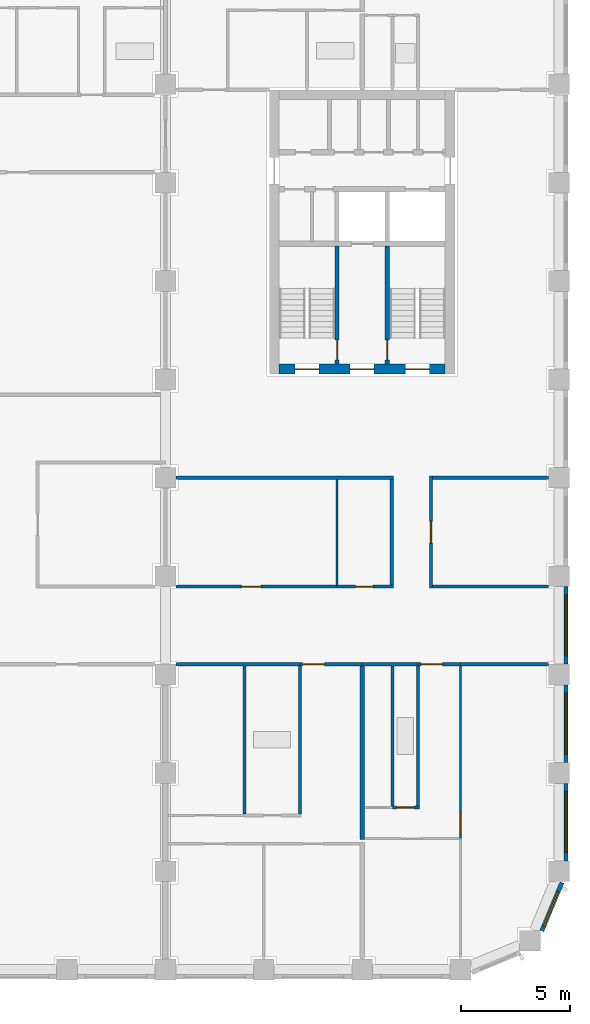
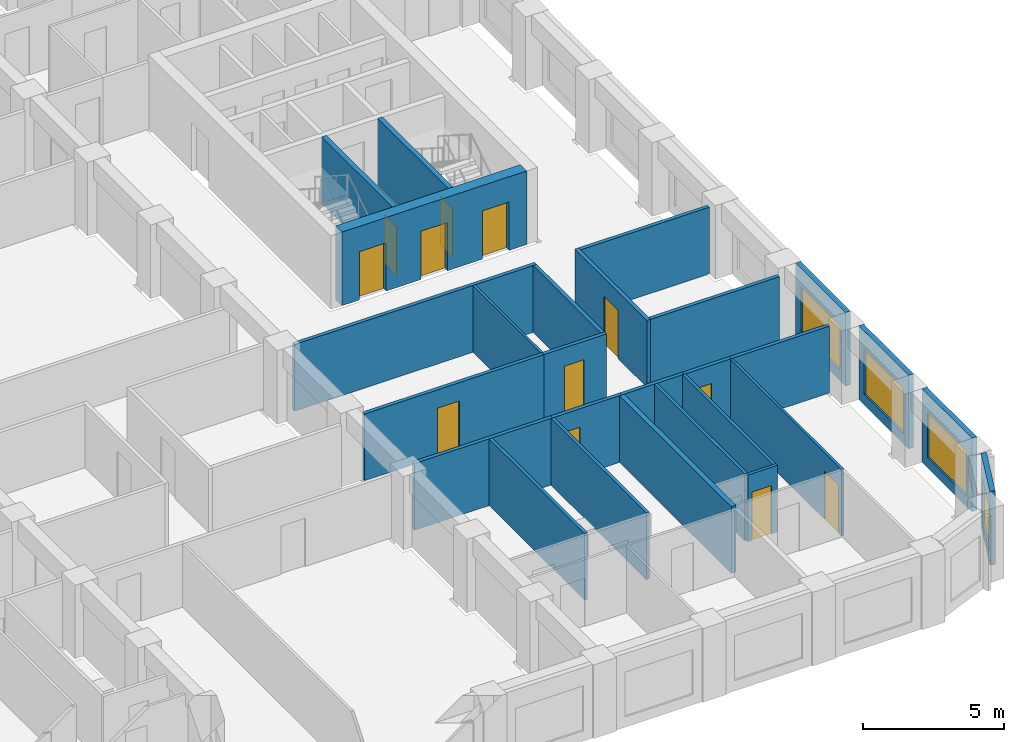
# One storey, part 5 of 13: 27 walls, 12 doors, 4 windows, 16 openings.
"""IFC4 building model written with IfcOpenShell, lengths in metres."""

from ifc_helpers import new_model, si_unit, direction, frame, frame_2d, origin, place, context, subcontext, project, spatial, rectangle, extrude, material, layer, layer_set, type_object, element, fill, save


model = new_model("IFC4")

# Units and contexts
model_context = context("Model", 3, precision=1e-05, world=origin(), true_north=direction((0.0, 1.0)))
body_context = subcontext(model_context, "Body", "Model", "MODEL_VIEW")
ifc_project = project(units=[si_unit("LENGTHUNIT", "METRE"), si_unit("AREAUNIT", "SQUARE_METRE"), si_unit("VOLUMEUNIT", "CUBIC_METRE"), si_unit("PLANEANGLEUNIT", "RADIAN"), si_unit("MASSUNIT", "GRAM", prefix="KILO")], contexts=[model_context])

# Site, building, storey
site_placement = place(None, origin())
site = spatial("IfcSite", under=ifc_project, at=site_placement, CompositionType="ELEMENT")
building_placement = place(site_placement, origin())
building = spatial("IfcBuilding", under=site, at=building_placement, Name="Girih Gate Residences", CompositionType="ELEMENT")
storey_placement = place(building_placement, frame((0.0, 0.0, 130.199951171875)))
storey = spatial("IfcBuildingStorey", under=building, at=storey_placement, Name="L36", CompositionType="ELEMENT", Elevation=130.199951171875)

# Wall, opening, door
ifc_material_1 = material(Name="Gypsum board on steel studs", Category="steel")
ifc_layer_1 = layer(ifc_material_1, 0.14990234375)
ifc_layer_set_1 = layer_set([ifc_layer_1], Name="Compartment wall 150 mm")
wall_type_1 = type_object("IfcWallType", Name="Compartment wall 150 mm", PredefinedType="PARTITIONING", material=ifc_layer_set_1)
wall_1_placement = place(storey_placement, frame((45.0, 13.97509765625, 0.0), z_axis=(0.0, 0.0, 1.0), x_axis=(-1.0, 0.0, 0.0)))
wall_1 = element("IfcWall", 1, at=wall_1_placement, inside=storey, type_object=wall_type_1, Name="L36 partition", PredefinedType="PARTITIONING", context=body_context, shape_type="SweptSolid", body=[
    extrude(rectangle(XDim=1.949951171875, YDim=0.14990234375, at=frame_2d((0.97509765625, 0.0))), origin(), (0.0, 0.0, 1.0), 2.900146484375),
])
opening_1_placement = place(wall_1_placement, frame((0.820068359375, 0.0, 0.0)))
opening_1 = element("IfcOpeningElement", 2, at=opening_1_placement, cuts=wall_1, Name="Opening A36-021", PredefinedType="OPENING", context=body_context, shape_type="SweptSolid", body=[
    extrude(rectangle(XDim=1.0, YDim=2.10009765625, at=frame_2d((0.5, 1.050048828125))), frame((0.0, 0.0849609375, 0.0), z_axis=(0.0, -1.0, 0.0), x_axis=(1.0, 0.0, 0.0)), (0.0, 0.0, 1.0), 0.169921875),
])
ifc_material_2 = material(Name="Timber, fire-rated core", Category="wood")
door_type_1 = type_object("IfcDoorType", Name="Flat entrance door 1000x2100 FD30S", OperationType="NOTDEFINED", PredefinedType="DOOR", material=ifc_material_2)
door_1_placement = place(opening_1_placement, origin())
door_1 = element("IfcDoor", 3, at=door_1_placement, inside=storey, type_object=door_type_1, Name="Door A36-021", OperationType="SINGLE_SWING_RIGHT", OverallHeight=2.10009765625, OverallWidth=1.0, PredefinedType="DOOR", context=body_context, shape_type="SweptSolid", body=[
    extrude(rectangle(XDim=1.0, YDim=2.10009765625, at=frame_2d((0.5, 1.050048828125))), frame((0.0, 0.02490234375, 0.0), z_axis=(0.0, -1.0, 0.0), x_axis=(1.0, 0.0, 0.0)), (0.0, 0.0, 1.0), 0.050048828125),
])
fill(opening_1, door_1)

# Walls
wall_2_placement = place(storey_placement, frame((40.5, 13.97509765625, 0.0), z_axis=(0.0, 0.0, 1.0), x_axis=(1.0, 0.0, 0.0)))
element("IfcWall", 4, at=wall_2_placement, inside=storey, type_object=wall_type_1, Name="L36 partition", PredefinedType="PARTITIONING", context=body_context, shape_type="SweptSolid", body=[
    extrude(rectangle(XDim=2.550048828125, YDim=0.14990234375, at=frame_2d((1.27490234375, 0.0))), origin(), (0.0, 0.0, 1.0), 2.900146484375),
])
wall_3_placement = place(storey_placement, frame((45.0, 13.97509765625, 0.0), z_axis=(0.0, 0.0, 1.0), x_axis=(1.0, 0.0, 0.0)))
element("IfcWall", 5, at=wall_3_placement, inside=storey, type_object=wall_type_1, Name="L36 partition", PredefinedType="PARTITIONING", context=body_context, shape_type="SweptSolid", body=[
    extrude(rectangle(XDim=4.02490234375, YDim=0.14990234375, at=frame_2d((2.012451171875, 0.0))), origin(), (0.0, 0.0, 1.0), 2.900146484375),
])

# Wall, opening, door
wall_4_placement = place(storey_placement, frame((40.5, 13.97509765625, 0.0), z_axis=(0.0, 0.0, 1.0), x_axis=(-1.0, 0.0, 0.0)))
wall_4 = element("IfcWall", 6, at=wall_4_placement, inside=storey, type_object=wall_type_1, Name="L36 partition", PredefinedType="PARTITIONING", context=body_context, shape_type="SweptSolid", body=[
    extrude(rectangle(XDim=2.85009765625, YDim=0.14990234375, at=frame_2d((1.425048828125, 0.0))), origin(), (0.0, 0.0, 1.0), 2.900146484375),
])
opening_2_placement = place(wall_4_placement, frame((1.719970703125, 0.0, 0.0)))
opening_2 = element("IfcOpeningElement", 7, at=opening_2_placement, cuts=wall_4, Name="Opening A36-026", PredefinedType="OPENING", context=body_context, shape_type="SweptSolid", body=[
    extrude(rectangle(XDim=1.0, YDim=2.10009765625, at=frame_2d((0.5, 1.050048828125))), frame((0.0, 0.0849609375, 0.0), z_axis=(0.0, -1.0, 0.0), x_axis=(1.0, 0.0, 0.0)), (0.0, 0.0, 1.0), 0.169921875),
])
door_2_placement = place(opening_2_placement, origin())
door_2 = element("IfcDoor", 8, at=door_2_placement, inside=storey, type_object=door_type_1, Name="Door A36-026", OperationType="SINGLE_SWING_RIGHT", OverallHeight=2.10009765625, OverallWidth=1.0, PredefinedType="DOOR", context=body_context, shape_type="SweptSolid", body=[
    extrude(rectangle(XDim=1.0, YDim=2.10009765625, at=frame_2d((0.5, 1.050048828125))), frame((0.0, 0.02490234375, 0.0), z_axis=(0.0, -1.0, 0.0), x_axis=(1.0, 0.0, 0.0)), (0.0, 0.0, 1.0), 0.050048828125),
])
fill(opening_2, door_2)

# Wall
wall_5_placement = place(storey_placement, frame((31.97509765625, 13.97509765625, 0.0), z_axis=(0.0, 0.0, 1.0), x_axis=(1.0, 0.0, 0.0)))
element("IfcWall", 9, at=wall_5_placement, inside=storey, type_object=wall_type_1, Name="L36 partition", PredefinedType="PARTITIONING", context=body_context, shape_type="SweptSolid", body=[
    extrude(rectangle(XDim=5.6748046875, YDim=0.14990234375, at=frame_2d((2.83740234375, 0.0))), origin(), (0.0, 0.0, 1.0), 2.900146484375),
])

# Wall, opening, door
wall_6_placement = place(storey_placement, frame((31.97509765625, 17.52490234375, 0.0), z_axis=(0.0, 0.0, 1.0), x_axis=(1.0, 0.0, 0.0)))
wall_6 = element("IfcWall", 10, at=wall_6_placement, inside=storey, type_object=wall_type_1, Name="L36 partition", PredefinedType="PARTITIONING", context=body_context, shape_type="SweptSolid", body=[
    extrude(rectangle(XDim=7.375, YDim=0.14990234375, at=frame_2d((3.6875, 0.0))), origin(), (0.0, 0.0, 1.0), 2.900146484375),
])
opening_3_placement = place(wall_6_placement, frame((3.0, 0.0, 0.0)))
opening_3 = element("IfcOpeningElement", 11, at=opening_3_placement, cuts=wall_6, Name="Opening A36-053", PredefinedType="OPENING", context=body_context, shape_type="SweptSolid", body=[
    extrude(rectangle(XDim=0.89990234375, YDim=2.10009765625, at=frame_2d((0.449951171875, 1.050048828125))), frame((0.0, 0.0849609375, 0.0), z_axis=(0.0, -1.0, 0.0), x_axis=(1.0, 0.0, 0.0)), (0.0, 0.0, 1.0), 0.169921875),
])
ifc_material_3 = material(Name="Timber", Category="wood")
door_type_2 = type_object("IfcDoorType", Name="Service room door 900x2100", OperationType="NOTDEFINED", PredefinedType="DOOR", material=ifc_material_3)
door_3_placement = place(opening_3_placement, origin())
door_3 = element("IfcDoor", 12, at=door_3_placement, inside=storey, type_object=door_type_2, Name="Door A36-053", OperationType="SINGLE_SWING_LEFT", OverallHeight=2.10009765625, OverallWidth=0.89990234375, PredefinedType="DOOR", context=body_context, shape_type="SweptSolid", body=[
    extrude(rectangle(XDim=0.89990234375, YDim=2.10009765625, at=frame_2d((0.449951171875, 1.050048828125))), frame((0.0, 0.02490234375, 0.0), z_axis=(0.0, -1.0, 0.0), x_axis=(1.0, 0.0, 0.0)), (0.0, 0.0, 1.0), 0.050048828125),
])
fill(opening_3, door_3)

wall_7_placement = place(storey_placement, frame((39.35009765625, 17.52490234375, 0.0), z_axis=(0.0, 0.0, 1.0), x_axis=(1.0, 0.0, 0.0)))
wall_7 = element("IfcWall", 13, at=wall_7_placement, inside=storey, type_object=wall_type_1, Name="L36 partition", PredefinedType="PARTITIONING", context=body_context, shape_type="SweptSolid", body=[
    extrude(rectangle(XDim=2.574951171875, YDim=0.14990234375, at=frame_2d((1.28759765625, 0.0))), origin(), (0.0, 0.0, 1.0), 2.900146484375),
])
opening_4_placement = place(wall_7_placement, frame((0.85009765625, 0.0, 0.0)))
opening_4 = element("IfcOpeningElement", 14, at=opening_4_placement, cuts=wall_7, Name="Opening A36-055", PredefinedType="OPENING", context=body_context, shape_type="SweptSolid", body=[
    extrude(rectangle(XDim=0.800048828125, YDim=2.10009765625, at=frame_2d((0.39990234375, 1.050048828125))), frame((0.0, 0.0849609375, 0.0), z_axis=(0.0, -1.0, 0.0), x_axis=(1.0, 0.0, 0.0)), (0.0, 0.0, 1.0), 0.169921875),
])
door_type_3 = type_object("IfcDoorType", Name="Bathroom door 800x2100", OperationType="NOTDEFINED", PredefinedType="DOOR", material=ifc_material_3)
door_4_placement = place(opening_4_placement, origin())
door_4 = element("IfcDoor", 15, at=door_4_placement, inside=storey, type_object=door_type_3, Name="Door A36-055", OperationType="SINGLE_SWING_LEFT", OverallHeight=2.10009765625, OverallWidth=0.800048828125, PredefinedType="DOOR", context=body_context, shape_type="SweptSolid", body=[
    extrude(rectangle(XDim=0.800048828125, YDim=2.10009765625, at=frame_2d((0.39990234375, 1.050048828125))), frame((0.0, 0.02490234375, 0.0), z_axis=(0.0, -1.0, 0.0), x_axis=(1.0, 0.0, 0.0)), (0.0, 0.0, 1.0), 0.050048828125),
])
fill(opening_4, door_4)

# Walls
wall_8_placement = place(storey_placement, frame((43.72509765625, 17.52490234375, 0.0), z_axis=(0.0, 0.0, 1.0), x_axis=(1.0, 0.0, 0.0)))
element("IfcWall", 16, at=wall_8_placement, inside=storey, type_object=wall_type_1, Name="L36 partition", PredefinedType="PARTITIONING", context=body_context, shape_type="SweptSolid", body=[
    extrude(rectangle(XDim=5.2998046875, YDim=0.14990234375, at=frame_2d((2.64990234375, 0.0))), origin(), (0.0, 0.0, 1.0), 2.900146484375),
])
wall_9_placement = place(storey_placement, frame((31.97509765625, 22.5, 0.0), z_axis=(0.0, 0.0, 1.0), x_axis=(1.0, 0.0, 0.0)))
element("IfcWall", 17, at=wall_9_placement, inside=storey, type_object=wall_type_1, Name="L36 partition", PredefinedType="PARTITIONING", context=body_context, shape_type="SweptSolid", body=[
    extrude(rectangle(XDim=9.949951171875, YDim=0.14990234375, at=frame_2d((4.97509765625, 0.0))), origin(), (0.0, 0.0, 1.0), 2.900146484375),
])
wall_10_placement = place(storey_placement, frame((43.72509765625, 22.5, 0.0), z_axis=(0.0, 0.0, 1.0), x_axis=(1.0, 0.0, 0.0)))
element("IfcWall", 18, at=wall_10_placement, inside=storey, type_object=wall_type_1, Name="L36 partition", PredefinedType="PARTITIONING", context=body_context, shape_type="SweptSolid", body=[
    extrude(rectangle(XDim=5.2998046875, YDim=0.14990234375, at=frame_2d((2.64990234375, 0.0))), origin(), (0.0, 0.0, 1.0), 2.900146484375),
])
wall_11_placement = place(storey_placement, frame((41.85009765625, 17.60009765625, 0.0), z_axis=(0.0, 0.0, 1.0), x_axis=(0.0, 1.0, 0.0)))
element("IfcWall", 19, at=wall_11_placement, inside=storey, type_object=wall_type_1, Name="L36 partition", PredefinedType="PARTITIONING", context=body_context, shape_type="SweptSolid", body=[
    extrude(rectangle(XDim=4.824951171875, YDim=0.14990234375, at=frame_2d((2.41259765625, 0.0))), origin(), (0.0, 0.0, 1.0), 2.900146484375),
])

# Wall, opening, door
wall_12_placement = place(storey_placement, frame((43.64990234375, 22.574951171875, 0.0), z_axis=(0.0, 0.0, 1.0), x_axis=(0.0, -1.0, 0.0)))
wall_12 = element("IfcWall", 20, at=wall_12_placement, inside=storey, type_object=wall_type_1, Name="L36 partition", PredefinedType="PARTITIONING", context=body_context, shape_type="SweptSolid", body=[
    extrude(rectangle(XDim=5.125, YDim=0.14990234375, at=frame_2d((2.5625, 0.0))), origin(), (0.0, 0.0, 1.0), 2.900146484375),
])
opening_5_placement = place(wall_12_placement, frame((2.0625, 0.0, 0.0)))
opening_5 = element("IfcOpeningElement", 21, at=opening_5_placement, cuts=wall_12, Name="Opening A36-057", PredefinedType="OPENING", context=body_context, shape_type="SweptSolid", body=[
    extrude(rectangle(XDim=1.0, YDim=2.10009765625, at=frame_2d((0.5, 1.050048828125))), frame((0.0, 0.0849609375, 0.0), z_axis=(0.0, -1.0, 0.0), x_axis=(1.0, 0.0, 0.0)), (0.0, 0.0, 1.0), 0.169921875),
])
door_type_4 = type_object("IfcDoorType", Name="Amenity room door 1000x2100 FD30S", OperationType="NOTDEFINED", PredefinedType="DOOR", material=ifc_material_2)
door_5_placement = place(opening_5_placement, origin())
door_5 = element("IfcDoor", 22, at=door_5_placement, inside=storey, type_object=door_type_4, Name="Door A36-057", OperationType="SINGLE_SWING_RIGHT", OverallHeight=2.10009765625, OverallWidth=1.0, PredefinedType="DOOR", context=body_context, shape_type="SweptSolid", body=[
    extrude(rectangle(XDim=1.0, YDim=2.10009765625, at=frame_2d((0.5, 1.050048828125))), frame((0.0, 0.02490234375, 0.0), z_axis=(0.0, -1.0, 0.0), x_axis=(1.0, 0.0, 0.0)), (0.0, 0.0, 1.0), 0.050048828125),
])
fill(opening_5, door_5)

# Wall, openings, doors
ifc_material_4 = material(Name="Concrete C60/75", Category="concrete")
ifc_layer_2 = layer(ifc_material_4, 0.449951171875)
ifc_layer_set_2 = layer_set([ifc_layer_2], Name="Core wall RC 450 Concrete C60/75")
wall_type_2 = type_object("IfcWallType", Name="Core wall RC 450 Concrete C60/75", PredefinedType="SOLIDWALL", material=ifc_layer_set_2)
wall_13_placement = place(storey_placement, frame((36.699951171875, 27.47509765625, 0.0), z_axis=(0.0, 0.0, 1.0), x_axis=(1.0, 0.0, 0.0)))
wall_13 = element("IfcWall", 23, at=wall_13_placement, inside=storey, type_object=wall_type_2, Name="Core wall E-S L36", PredefinedType="SOLIDWALL", context=body_context, shape_type="SweptSolid", body=[
    extrude(rectangle(XDim=7.60009765625, YDim=0.449951171875, at=frame_2d((3.800048828125, 0.0))), origin(), (0.0, 0.0, 1.0), 3.199951171875),
])
opening_6_placement = place(wall_13_placement, frame((5.77490234375, 0.0, 0.0)))
opening_6 = element("IfcOpeningElement", 24, at=opening_6_placement, cuts=wall_13, Name="Opening D-L36-E-012", PredefinedType="OPENING", context=body_context, shape_type="SweptSolid", body=[
    extrude(rectangle(XDim=1.10009765625, YDim=2.10009765625, at=frame_2d((0.550048828125, 1.050048828125))), frame((0.0, 0.23486328125, 0.0), z_axis=(0.0, -1.0, 0.0), x_axis=(1.0, 0.0, 0.0)), (0.0, 0.0, 1.0), 0.469970703125),
])
opening_7_placement = place(wall_13_placement, frame((3.25, 0.0, 0.0)))
opening_7 = element("IfcOpeningElement", 25, at=opening_7_placement, cuts=wall_13, Name="Opening D-L36-E-013", PredefinedType="OPENING", context=body_context, shape_type="SweptSolid", body=[
    extrude(rectangle(XDim=1.10009765625, YDim=2.10009765625, at=frame_2d((0.550048828125, 1.050048828125))), frame((0.0, 0.23486328125, 0.0), z_axis=(0.0, -1.0, 0.0), x_axis=(1.0, 0.0, 0.0)), (0.0, 0.0, 1.0), 0.469970703125),
])
opening_8_placement = place(wall_13_placement, frame((0.72509765625, 0.0, 0.0)))
opening_8 = element("IfcOpeningElement", 26, at=opening_8_placement, cuts=wall_13, Name="Opening D-L36-E-014", PredefinedType="OPENING", context=body_context, shape_type="SweptSolid", body=[
    extrude(rectangle(XDim=1.10009765625, YDim=2.10009765625, at=frame_2d((0.550048828125, 1.050048828125))), frame((0.0, 0.23486328125, 0.0), z_axis=(0.0, -1.0, 0.0), x_axis=(1.0, 0.0, 0.0)), (0.0, 0.0, 1.0), 0.469970703125),
])
ifc_material_5 = material(Name="Painted steel, fire-resisting", Category="steel")
door_type_5 = type_object("IfcDoorType", Name="Fire door 1100x2100", OperationType="SINGLE_SWING_LEFT", PredefinedType="DOOR", material=ifc_material_5)
door_6_placement = place(opening_6_placement, origin())
door_6 = element("IfcDoor", 27, at=door_6_placement, inside=storey, type_object=door_type_5, Name="L36 E core door sta-out", OperationType="SINGLE_SWING_LEFT", OverallHeight=2.10009765625, OverallWidth=1.10009765625, PredefinedType="DOOR", context=body_context, shape_type="SweptSolid", body=[
    extrude(rectangle(XDim=1.10009765625, YDim=2.10009765625, at=frame_2d((0.550048828125, 1.050048828125))), frame((0.0, 0.02490234375, 0.0), z_axis=(0.0, -1.0, 0.0), x_axis=(1.0, 0.0, 0.0)), (0.0, 0.0, 1.0), 0.050048828125),
])
fill(opening_6, door_6)
door_7_placement = place(opening_7_placement, origin())
door_7 = element("IfcDoor", 28, at=door_7_placement, inside=storey, type_object=door_type_5, Name="L36 E core door ffl-out", OperationType="SINGLE_SWING_LEFT", OverallHeight=2.10009765625, OverallWidth=1.10009765625, PredefinedType="DOOR", context=body_context, shape_type="SweptSolid", body=[
    extrude(rectangle(XDim=1.10009765625, YDim=2.10009765625, at=frame_2d((0.550048828125, 1.050048828125))), frame((0.0, 0.02490234375, 0.0), z_axis=(0.0, -1.0, 0.0), x_axis=(1.0, 0.0, 0.0)), (0.0, 0.0, 1.0), 0.050048828125),
])
fill(opening_7, door_7)
door_8_placement = place(opening_8_placement, origin())
door_8 = element("IfcDoor", 29, at=door_8_placement, inside=storey, type_object=door_type_5, Name="L36 E core door stb-out", OperationType="SINGLE_SWING_LEFT", OverallHeight=2.10009765625, OverallWidth=1.10009765625, PredefinedType="DOOR", context=body_context, shape_type="SweptSolid", body=[
    extrude(rectangle(XDim=1.10009765625, YDim=2.10009765625, at=frame_2d((0.550048828125, 1.050048828125))), frame((0.0, 0.02490234375, 0.0), z_axis=(0.0, -1.0, 0.0), x_axis=(1.0, 0.0, 0.0)), (0.0, 0.0, 1.0), 0.050048828125),
])
fill(opening_8, door_8)

# Wall, opening, door
ifc_layer_3 = layer(ifc_material_1, 0.10009765625)
ifc_layer_set_3 = layer_set([ifc_layer_3], Name="Partition 100 mm")
wall_type_3 = type_object("IfcWallType", Name="Partition 100 mm", PredefinedType="PARTITIONING", material=ifc_layer_set_3)
wall_14_placement = place(storey_placement, frame((45.0, 13.89990234375, 0.0), z_axis=(0.0, 0.0, 1.0), x_axis=(0.0, -1.0, 0.0)))
wall_14 = element("IfcWall", 30, at=wall_14_placement, inside=storey, type_object=wall_type_3, Name="L36 partition", PredefinedType="PARTITIONING", context=body_context, shape_type="SweptSolid", body=[
    extrude(rectangle(XDim=7.90478515625, YDim=0.10009765625, at=frame_2d((3.952392578125, 0.0))), origin(), (0.0, 0.0, 1.0), 2.900146484375),
])
opening_9_placement = place(wall_14_placement, frame((6.695068359375, 0.0, 0.0)))
opening_9 = element("IfcOpeningElement", 31, at=opening_9_placement, cuts=wall_14, Name="Opening A36-020", PredefinedType="OPENING", context=body_context, shape_type="SweptSolid", body=[
    extrude(rectangle(XDim=1.0, YDim=2.10009765625, at=frame_2d((0.5, 1.050048828125))), frame((0.0, 0.06005859375, 0.0), z_axis=(0.0, -1.0, 0.0), x_axis=(1.0, 0.0, 0.0)), (0.0, 0.0, 1.0), 0.1201171875),
])
door_type_6 = type_object("IfcDoorType", Name="Living room door 1000x2100", OperationType="NOTDEFINED", PredefinedType="DOOR", material=ifc_material_3)
door_9_placement = place(opening_9_placement, origin())
door_9 = element("IfcDoor", 32, at=door_9_placement, inside=storey, type_object=door_type_6, Name="Door A36-020", OperationType="SINGLE_SWING_RIGHT", OverallHeight=2.10009765625, OverallWidth=1.0, PredefinedType="DOOR", context=body_context, shape_type="SweptSolid", body=[
    extrude(rectangle(XDim=1.0, YDim=2.10009765625, at=frame_2d((0.5, 1.050048828125))), frame((0.0, 0.02490234375, 0.0), z_axis=(0.0, -1.0, 0.0), x_axis=(1.0, 0.0, 0.0)), (0.0, 0.0, 1.0), 0.050048828125),
])
fill(opening_9, door_9)

# Walls
wall_15_placement = place(storey_placement, frame((39.35009765625, 17.60009765625, 0.0), z_axis=(0.0, 0.0, 1.0), x_axis=(0.0, 1.0, 0.0)))
element("IfcWall", 33, at=wall_15_placement, inside=storey, type_object=wall_type_3, Name="L36 partition", PredefinedType="PARTITIONING", context=body_context, shape_type="SweptSolid", body=[
    extrude(rectangle(XDim=4.824951171875, YDim=0.10009765625, at=frame_2d((2.41259765625, 0.0))), origin(), (0.0, 0.0, 1.0), 2.900146484375),
])
ifc_layer_4 = layer(ifc_material_1, 0.199951171875)
ifc_layer_set_4 = layer_set([ifc_layer_4], Name="Party wall 200 mm")
wall_type_4 = type_object("IfcWallType", Name="Party wall 200 mm", PredefinedType="PARTITIONING", material=ifc_layer_set_4)
wall_16_placement = place(storey_placement, frame((40.5, 5.945068359375, 0.0), z_axis=(0.0, 0.0, 1.0), x_axis=(0.0, 1.0, 0.0)))
element("IfcWall", 34, at=wall_16_placement, inside=storey, type_object=wall_type_4, Name="L36 partition", PredefinedType="PARTITIONING", context=body_context, shape_type="SweptSolid", body=[
    extrude(rectangle(XDim=7.954833984375, YDim=0.199951171875, at=frame_2d((3.9775390625, 0.0))), origin(), (0.0, 0.0, 1.0), 2.900146484375),
])

# Wall, opening, window
ifc_material_6 = material(Name="Precast concrete C50/60", Category="concrete")
ifc_layer_5 = layer(ifc_material_6, 0.06005859375, Name="Outer leaf")
ifc_material_7 = material(Name="Rigid PIR insulation")
ifc_layer_6 = layer(ifc_material_7, 0.090087890625, Name="Insulation")
ifc_material_8 = material(Name="Precast concrete C40/50", Category="concrete")
ifc_layer_7 = layer(ifc_material_8, 0.050048828125, Name="Inner leaf")
ifc_layer_set_5 = layer_set([ifc_layer_5, ifc_layer_6, ifc_layer_7], Name="Precast concrete C50/60 external wall 200")
wall_type_5 = type_object("IfcWallType", Name="Precast concrete C50/60 external wall 200", PredefinedType="SOLIDWALL", material=ifc_layer_set_5)
wall_17_placement = place(storey_placement, frame((49.63916015625, 3.98681640625, 0.0), z_axis=(0.0, 0.0, 1.0), x_axis=(-0.382680855588, -0.923880599843, 0.0)))
wall_17 = element("IfcWall", 35, at=wall_17_placement, inside=storey, type_object=wall_type_5, Name="External wall SE0482_0013.0", PredefinedType="SOLIDWALL", context=body_context, shape_type="SweptSolid", body=[
    extrude(rectangle(XDim=2.402587890625, YDim=0.199951171875, at=frame_2d((1.201171875, 0.0))), origin(), (0.0, 0.0, 1.0), 3.199951171875),
])
opening_10_placement = place(wall_17_placement, frame((0.451171875, 0.0, 0.449951171875)))
opening_10 = element("IfcOpeningElement", 36, at=opening_10_placement, cuts=wall_17, Name="Opening W-2E", PredefinedType="OPENING", context=body_context, shape_type="SweptSolid", body=[
    extrude(rectangle(XDim=1.699951171875, YDim=1.949951171875, at=frame_2d((0.85009765625, 0.97509765625))), frame((0.0, 0.10986328125, 0.0), z_axis=(0.0, -1.0, 0.0), x_axis=(1.0, 0.0, 0.0)), (0.0, 0.0, 1.0), 0.219970703125),
])
ifc_material_9 = material(Name="Double glazing in aluminium frame", Category="aluminium")
window_type_1 = type_object("IfcWindowType", Name="Window W-2E 1700x1950", PartitioningType="SINGLE_PANEL", PredefinedType="WINDOW", material=ifc_material_9)
window_1_placement = place(opening_10_placement, origin())
window_1 = element("IfcWindow", 37, at=window_1_placement, inside=storey, type_object=window_type_1, Name="Window W-2E SE0482_0013.0", OverallHeight=1.949951171875, OverallWidth=1.699951171875, PartitioningType="SINGLE_PANEL", PredefinedType="WINDOW", context=body_context, shape_type="SweptSolid", body=[
    extrude(rectangle(XDim=1.699951171875, YDim=1.949951171875, at=frame_2d((0.85009765625, 0.97509765625))), frame((0.0, 0.030029296875, 0.0), z_axis=(0.0, -1.0, 0.0), x_axis=(1.0, 0.0, 0.0)), (0.0, 0.0, 1.0), 0.06005859375),
])
fill(opening_10, window_1)

wall_18_placement = place(storey_placement, frame((49.824951171875, 8.52490234375, 0.0), z_axis=(0.0, 0.0, 1.0), x_axis=(0.0, -1.0, 0.0)))
wall_18 = element("IfcWall", 38, at=wall_18_placement, inside=storey, type_object=wall_type_5, Name="External wall E0495_0045.0", PredefinedType="SOLIDWALL", context=body_context, shape_type="SweptSolid", body=[
    extrude(rectangle(XDim=3.5498046875, YDim=0.199951171875, at=frame_2d((1.77490234375, 0.0))), origin(), (0.0, 0.0, 1.0), 3.199951171875),
])
opening_11_placement = place(wall_18_placement, frame((0.375, 0.0, 0.449951171875)))
opening_11 = element("IfcOpeningElement", 39, at=opening_11_placement, cuts=wall_18, Name="Opening W-1B", PredefinedType="OPENING", context=body_context, shape_type="SweptSolid", body=[
    extrude(rectangle(XDim=2.800048828125, YDim=1.949951171875, at=frame_2d((1.39990234375, 0.97509765625))), frame((0.0, 0.10986328125, 0.0), z_axis=(0.0, -1.0, 0.0), x_axis=(1.0, 0.0, 0.0)), (0.0, 0.0, 1.0), 0.219970703125),
])
window_type_2 = type_object("IfcWindowType", Name="Window W-1B 2800x1950", PartitioningType="SINGLE_PANEL", PredefinedType="WINDOW", material=ifc_material_9)
window_2_placement = place(opening_11_placement, origin())
window_2 = element("IfcWindow", 40, at=window_2_placement, inside=storey, type_object=window_type_2, Name="Window W-1B E0495_0045.0", OverallHeight=1.949951171875, OverallWidth=2.800048828125, PartitioningType="SINGLE_PANEL", PredefinedType="WINDOW", context=body_context, shape_type="SweptSolid", body=[
    extrude(rectangle(XDim=2.800048828125, YDim=1.949951171875, at=frame_2d((1.39990234375, 0.97509765625))), frame((0.0, 0.030029296875, 0.0), z_axis=(0.0, -1.0, 0.0), x_axis=(1.0, 0.0, 0.0)), (0.0, 0.0, 1.0), 0.06005859375),
])
fill(opening_11, window_2)

wall_19_placement = place(storey_placement, frame((49.824951171875, 13.02490234375, 0.0), z_axis=(0.0, 0.0, 1.0), x_axis=(0.0, -1.0, 0.0)))
wall_19 = element("IfcWall", 41, at=wall_19_placement, inside=storey, type_object=wall_type_5, Name="External wall E0495_0045.1", PredefinedType="SOLIDWALL", context=body_context, shape_type="SweptSolid", body=[
    extrude(rectangle(XDim=3.5498046875, YDim=0.199951171875, at=frame_2d((1.77490234375, 0.0))), origin(), (0.0, 0.0, 1.0), 3.199951171875),
])
opening_12_placement = place(wall_19_placement, frame((0.375, 0.0, 0.449951171875)))
opening_12 = element("IfcOpeningElement", 42, at=opening_12_placement, cuts=wall_19, Name="Opening W-1B", PredefinedType="OPENING", context=body_context, shape_type="SweptSolid", body=[
    extrude(rectangle(XDim=2.800048828125, YDim=1.949951171875, at=frame_2d((1.39990234375, 0.97509765625))), frame((0.0, 0.10986328125, 0.0), z_axis=(0.0, -1.0, 0.0), x_axis=(1.0, 0.0, 0.0)), (0.0, 0.0, 1.0), 0.219970703125),
])
window_3_placement = place(opening_12_placement, origin())
window_3 = element("IfcWindow", 43, at=window_3_placement, inside=storey, type_object=window_type_2, Name="Window W-1B E0495_0045.1", OverallHeight=1.949951171875, OverallWidth=2.800048828125, PartitioningType="SINGLE_PANEL", PredefinedType="WINDOW", context=body_context, shape_type="SweptSolid", body=[
    extrude(rectangle(XDim=2.800048828125, YDim=1.949951171875, at=frame_2d((1.39990234375, 0.97509765625))), frame((0.0, 0.030029296875, 0.0), z_axis=(0.0, -1.0, 0.0), x_axis=(1.0, 0.0, 0.0)), (0.0, 0.0, 1.0), 0.06005859375),
])
fill(opening_12, window_3)

wall_20_placement = place(storey_placement, frame((49.824951171875, 17.52490234375, 0.0), z_axis=(0.0, 0.0, 1.0), x_axis=(0.0, -1.0, 0.0)))
wall_20 = element("IfcWall", 44, at=wall_20_placement, inside=storey, type_object=wall_type_5, Name="External wall E0495_0045.2", PredefinedType="SOLIDWALL", context=body_context, shape_type="SweptSolid", body=[
    extrude(rectangle(XDim=3.5498046875, YDim=0.199951171875, at=frame_2d((1.77490234375, 0.0))), origin(), (0.0, 0.0, 1.0), 3.199951171875),
])
opening_13_placement = place(wall_20_placement, frame((0.375, 0.0, 0.449951171875)))
opening_13 = element("IfcOpeningElement", 45, at=opening_13_placement, cuts=wall_20, Name="Opening W-1B", PredefinedType="OPENING", context=body_context, shape_type="SweptSolid", body=[
    extrude(rectangle(XDim=2.800048828125, YDim=1.949951171875, at=frame_2d((1.39990234375, 0.97509765625))), frame((0.0, 0.10986328125, 0.0), z_axis=(0.0, -1.0, 0.0), x_axis=(1.0, 0.0, 0.0)), (0.0, 0.0, 1.0), 0.219970703125),
])
window_4_placement = place(opening_13_placement, origin())
window_4 = element("IfcWindow", 46, at=window_4_placement, inside=storey, type_object=window_type_2, Name="Window W-1B E0495_0045.2", OverallHeight=1.949951171875, OverallWidth=2.800048828125, PartitioningType="SINGLE_PANEL", PredefinedType="WINDOW", context=body_context, shape_type="SweptSolid", body=[
    extrude(rectangle(XDim=2.800048828125, YDim=1.949951171875, at=frame_2d((1.39990234375, 0.97509765625))), frame((0.0, 0.030029296875, 0.0), z_axis=(0.0, -1.0, 0.0), x_axis=(1.0, 0.0, 0.0)), (0.0, 0.0, 1.0), 0.06005859375),
])
fill(opening_13, window_4)

# Wall, opening, door
ifc_material_10 = material(Name="Concrete C40/50", Category="concrete")
ifc_layer_8 = layer(ifc_material_10, 0.199951171875)
ifc_layer_set_6 = layer_set([ifc_layer_8], Name="Shaft wall 200")
wall_type_6 = type_object("IfcWallType", Name="Shaft wall 200", PredefinedType="SOLIDWALL", material=ifc_layer_set_6)
wall_21_placement = place(storey_placement, frame((41.64990234375, 27.699951171875, 0.0), z_axis=(0.0, 0.0, 1.0), x_axis=(0.0, 1.0, 0.0)))
wall_21 = element("IfcWall", 47, at=wall_21_placement, inside=storey, type_object=wall_type_6, Name="L36 E core wall V1a", PredefinedType="SOLIDWALL", context=body_context, shape_type="SweptSolid", body=[
    extrude(rectangle(XDim=5.400146484375, YDim=0.199951171875, at=frame_2d((2.7001953125, 0.0))), origin(), (0.0, 0.0, 1.0), 2.900146484375),
])
opening_14_placement = place(wall_21_placement, frame((0.199951171875, 0.0, 0.0)))
opening_14 = element("IfcOpeningElement", 48, at=opening_14_placement, cuts=wall_21, Name="Opening D-L36-E-001", PredefinedType="OPENING", context=body_context, shape_type="SweptSolid", body=[
    extrude(rectangle(XDim=0.89990234375, YDim=2.10009765625, at=frame_2d((0.449951171875, 1.050048828125))), frame((0.0, 0.10986328125, 0.0), z_axis=(0.0, -1.0, 0.0), x_axis=(1.0, 0.0, 0.0)), (0.0, 0.0, 1.0), 0.219970703125),
])
door_type_7 = type_object("IfcDoorType", Name="Fire door 900x2100", OperationType="SINGLE_SWING_LEFT", PredefinedType="DOOR", material=ifc_material_5)
door_10_placement = place(opening_14_placement, origin())
door_10 = element("IfcDoor", 49, at=door_10_placement, inside=storey, type_object=door_type_7, Name="L36 E door stair 1 to firefighting lobby", OperationType="SINGLE_SWING_LEFT", OverallHeight=2.10009765625, OverallWidth=0.89990234375, PredefinedType="DOOR", context=body_context, shape_type="SweptSolid", body=[
    extrude(rectangle(XDim=0.89990234375, YDim=2.10009765625, at=frame_2d((0.449951171875, 1.050048828125))), frame((0.0, 0.02490234375, 0.0), z_axis=(0.0, -1.0, 0.0), x_axis=(1.0, 0.0, 0.0)), (0.0, 0.0, 1.0), 0.050048828125),
])
fill(opening_14, door_10)

wall_22_placement = place(storey_placement, frame((39.35009765625, 27.699951171875, 0.0), z_axis=(0.0, 0.0, 1.0), x_axis=(0.0, 1.0, 0.0)))
wall_22 = element("IfcWall", 50, at=wall_22_placement, inside=storey, type_object=wall_type_6, Name="L36 E core wall V2a", PredefinedType="SOLIDWALL", context=body_context, shape_type="SweptSolid", body=[
    extrude(rectangle(XDim=5.400146484375, YDim=0.199951171875, at=frame_2d((2.7001953125, 0.0))), origin(), (0.0, 0.0, 1.0), 2.900146484375),
])
opening_15_placement = place(wall_22_placement, frame((0.199951171875, 0.0, 0.0)))
opening_15 = element("IfcOpeningElement", 51, at=opening_15_placement, cuts=wall_22, Name="Opening D-L36-E-002", PredefinedType="OPENING", context=body_context, shape_type="SweptSolid", body=[
    extrude(rectangle(XDim=0.89990234375, YDim=2.10009765625, at=frame_2d((0.449951171875, 1.050048828125))), frame((0.0, 0.10986328125, 0.0), z_axis=(0.0, -1.0, 0.0), x_axis=(1.0, 0.0, 0.0)), (0.0, 0.0, 1.0), 0.219970703125),
])
door_11_placement = place(opening_15_placement, origin())
door_11 = element("IfcDoor", 52, at=door_11_placement, inside=storey, type_object=door_type_7, Name="L36 E door stair 2 to firefighting lobby", OperationType="SINGLE_SWING_LEFT", OverallHeight=2.10009765625, OverallWidth=0.89990234375, PredefinedType="DOOR", context=body_context, shape_type="SweptSolid", body=[
    extrude(rectangle(XDim=0.89990234375, YDim=2.10009765625, at=frame_2d((0.449951171875, 1.050048828125))), frame((0.0, 0.02490234375, 0.0), z_axis=(0.0, -1.0, 0.0), x_axis=(1.0, 0.0, 0.0)), (0.0, 0.0, 1.0), 0.050048828125),
])
fill(opening_15, door_11)

# Wall
ifc_layer_9 = layer(ifc_material_1, 0.125)
ifc_layer_set_7 = layer_set([ifc_layer_9], Name="Wet room wall 125 mm")
wall_type_7 = type_object("IfcWallType", Name="Wet room wall 125 mm", PredefinedType="PARTITIONING", material=ifc_layer_set_7)
wall_23_placement = place(storey_placement, frame((43.050048828125, 7.4775390625, 0.0), z_axis=(0.0, 0.0, 1.0), x_axis=(0.0, 1.0, 0.0)))
element("IfcWall", 53, at=wall_23_placement, inside=storey, type_object=wall_type_7, Name="L36 partition", PredefinedType="PARTITIONING", context=body_context, shape_type="SweptSolid", body=[
    extrude(rectangle(XDim=6.42236328125, YDim=0.125, at=frame_2d((3.211181640625, 0.0))), origin(), (0.0, 0.0, 1.0), 2.900146484375),
])

# Wall, opening, door
wall_24_placement = place(storey_placement, frame((41.890869140625, 7.4150390625, 0.0), z_axis=(0.0, 0.0, 1.0), x_axis=(1.0, 0.0, 0.0)))
wall_24 = element("IfcWall", 54, at=wall_24_placement, inside=storey, type_object=wall_type_7, Name="L36 partition", PredefinedType="PARTITIONING", context=body_context, shape_type="SweptSolid", body=[
    extrude(rectangle(XDim=1.2216796875, YDim=0.125, at=frame_2d((0.61083984375, 0.0))), origin(), (0.0, 0.0, 1.0), 2.900146484375),
])
opening_16_placement = place(wall_24_placement, frame((0.179443359375, 0.0, 0.0)))
opening_16 = element("IfcOpeningElement", 55, at=opening_16_placement, cuts=wall_24, Name="Opening A36-017", PredefinedType="OPENING", context=body_context, shape_type="SweptSolid", body=[
    extrude(rectangle(XDim=0.800048828125, YDim=2.10009765625, at=frame_2d((0.39990234375, 1.050048828125))), frame((0.0, 0.072509765625, 0.0), z_axis=(0.0, -1.0, 0.0), x_axis=(1.0, 0.0, 0.0)), (0.0, 0.0, 1.0), 0.14501953125),
])
door_12_placement = place(opening_16_placement, origin())
door_12 = element("IfcDoor", 56, at=door_12_placement, inside=storey, type_object=door_type_3, Name="Door A36-017", OperationType="SINGLE_SWING_LEFT", OverallHeight=2.10009765625, OverallWidth=0.800048828125, PredefinedType="DOOR", context=body_context, shape_type="SweptSolid", body=[
    extrude(rectangle(XDim=0.800048828125, YDim=2.10009765625, at=frame_2d((0.39990234375, 1.050048828125))), frame((0.0, 0.02490234375, 0.0), z_axis=(0.0, -1.0, 0.0), x_axis=(1.0, 0.0, 0.0)), (0.0, 0.0, 1.0), 0.050048828125),
])
fill(opening_16, door_12)

# Walls
wall_25_placement = place(storey_placement, frame((41.89111328125, 7.4775390625, 0.0), z_axis=(0.0, 0.0, 1.0), x_axis=(0.0, 1.0, 0.0)))
element("IfcWall", 57, at=wall_25_placement, inside=storey, type_object=wall_type_7, Name="L36 partition", PredefinedType="PARTITIONING", context=body_context, shape_type="SweptSolid", body=[
    extrude(rectangle(XDim=6.42236328125, YDim=0.125, at=frame_2d((3.211181640625, 0.0))), origin(), (0.0, 0.0, 1.0), 2.900146484375),
])
for number, where, z_axis, x_axis, name in (
    (58, (37.64990234375, 7.117431640625, 0.0), (0.0, 0.0, 1.0), (0.0, 1.0, 0.0), "L36 partition"),
    (59, (35.111083984375, 7.117431640625, 0.0), (0.0, 0.0, 1.0), (0.0, 1.0, 0.0), "L36 partition"),
):
    element("IfcWall", number, at=place(storey_placement, frame(where, z_axis=z_axis, x_axis=x_axis)), inside=storey, type_object=wall_type_7, Name=name, PredefinedType="PARTITIONING", context=body_context, shape_type="SweptSolid", body=[
        extrude(rectangle(XDim=6.782470703125, YDim=0.125, at=frame_2d((3.39111328125, 0.0))), origin(), (0.0, 0.0, 1.0), 2.900146484375),
    ])

save(model, "model.ifc")
